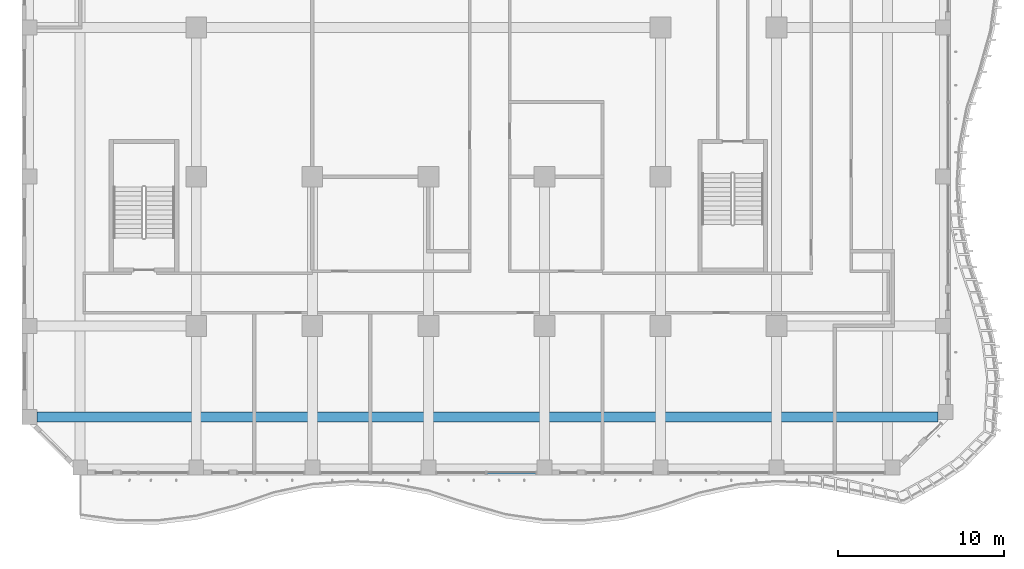
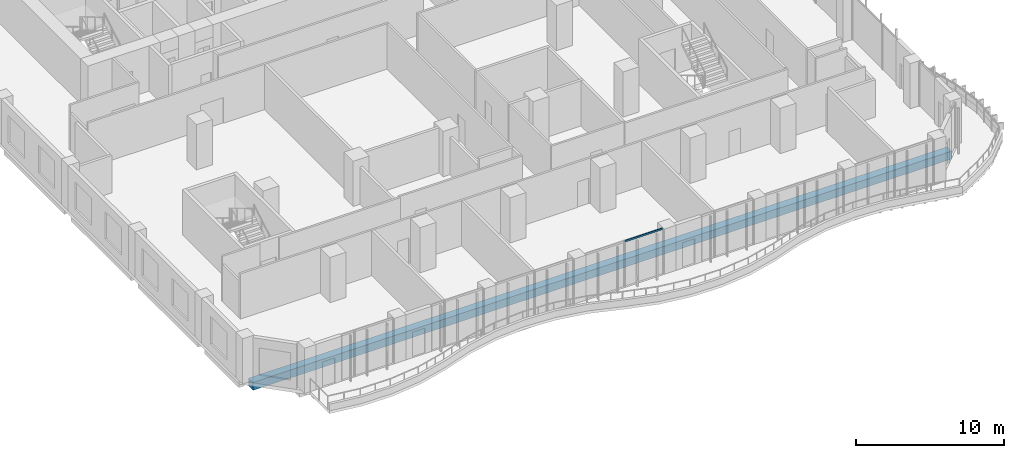
# One storey, part 3 of 29: 1 beam, 1 member, 1 element without a shape of its own.
"""IFC4 building model written with IfcOpenShell, lengths in metres."""

from ifc_helpers import new_model, si_unit, direction, frame, origin, origin_2d, place, context, subcontext, project, spatial, rectangle, extrude, source, transform, mapped, material, material_profile, profile_set, type_object, element, aggregate, save


model = new_model("IFC4")

# Units and contexts
model_context = context("Model", 3, precision=1e-05, world=origin(), true_north=direction((0.0, 1.0)))
body_context = subcontext(model_context, "Body", "Model", "MODEL_VIEW")
ifc_project = project(units=[si_unit("LENGTHUNIT", "METRE"), si_unit("AREAUNIT", "SQUARE_METRE"), si_unit("VOLUMEUNIT", "CUBIC_METRE"), si_unit("PLANEANGLEUNIT", "RADIAN"), si_unit("MASSUNIT", "GRAM", prefix="KILO")], contexts=[model_context])

# Site, building, storey
site_placement = place(None, origin())
site = spatial("IfcSite", under=ifc_project, at=site_placement, CompositionType="ELEMENT")
building_placement = place(site_placement, origin())
building = spatial("IfcBuilding", under=site, at=building_placement, Name="Kilnfold Tower and Market Hall", CompositionType="ELEMENT")
storey_placement = place(building_placement, frame((0.0, 0.0, 79.199951171875)))
storey = spatial("IfcBuildingStorey", under=building, at=storey_placement, Name="L18", CompositionType="ELEMENT", Elevation=79.199951171875)

# Beam
ifc_material_1 = material(Name="Concrete C45", Category="concrete")
ifc_material_profile_1 = material_profile(ifc_material_1, rectangle(XDim=0.60009765625, YDim=0.64990234375, at=origin_2d()), Name="RC 600x650")
ifc_profile_set_1 = profile_set([ifc_material_profile_1], Name="Concrete C45")
beam_type = type_object("IfcBeamType", Name="BEAM 600X650 C45", PredefinedType="BEAM", material=ifc_profile_set_1)
shared_shape_1 = source(origin(), body_context, "Body", "SweptSolid", [
    extrude(rectangle(XDim=0.60009765625, YDim=0.64990234375, at=origin_2d()), origin(), (0.0, 0.0, 1.0), 54.331787109375),
])
beam_placement = place(storey_placement, frame((-22.10009765625, -24.5, -0.60498046875), z_axis=(1.0, 0.0, 0.0), x_axis=(0.0, 1.0, 0.0)))
element("IfcBeam", 1, at=beam_placement, inside=storey, type_object=beam_type, Name="Beam BB650-B2.67", PredefinedType="BEAM", context=body_context, shape_type="MappedRepresentation", body=[
    mapped(shared_shape_1, transform((0.0, 0.0, 0.0))),
])

# Curtain wall, member
ifc_material_2 = material(Name="Aluminium and double glazing", Category="aluminium")
curtain_wall_type = type_object("IfcCurtainWallType", Name="CW OF1 VALLEY GLAZING", PredefinedType="NOTDEFINED", material=ifc_material_2)
curtain_wall_placement = place(storey_placement, origin())
curtain_wall = element("IfcCurtainWall", 2, at=curtain_wall_placement, inside=storey, type_object=curtain_wall_type, Name="Curtain wall CW1 L18 S", PredefinedType="NOTDEFINED")
ifc_material_3 = material(Name="Aluminium", Category="aluminium")
ifc_material_profile_2 = material_profile(ifc_material_3, rectangle(XDim=0.06005859375, YDim=0.139892578125, at=origin_2d()), Name="TRANSOM 60x140")
ifc_profile_set_2 = profile_set([ifc_material_profile_2], Name="Aluminium")
member_type = type_object("IfcMemberType", Name="TRANSOM 60X140", PredefinedType="USERDEFINED", material=ifc_profile_set_2)
shared_shape_2 = source(origin(), body_context, "Body", "SweptSolid", [
    extrude(rectangle(XDim=0.06005859375, YDim=0.139892578125, at=origin_2d()), origin(), (0.0, 0.0, 1.0), 2.929931640625),
])
member_placement = place(storey_placement, frame((5.06005859375, -27.85009765625, 3.68994140625), z_axis=(1.0, 0.0, 0.0), x_axis=(0.0, 1.0, 0.0)))
member = element("IfcMember", 3, at=member_placement, type_object=member_type, Name="CW1 transom 1.2", ObjectType="TRANSOM", PredefinedType="USERDEFINED", context=body_context, shape_type="MappedRepresentation", body=[
    mapped(shared_shape_2, transform((0.0, 0.0, 0.0))),
])
aggregate(curtain_wall, [member])

save(model, "model.ifc")
